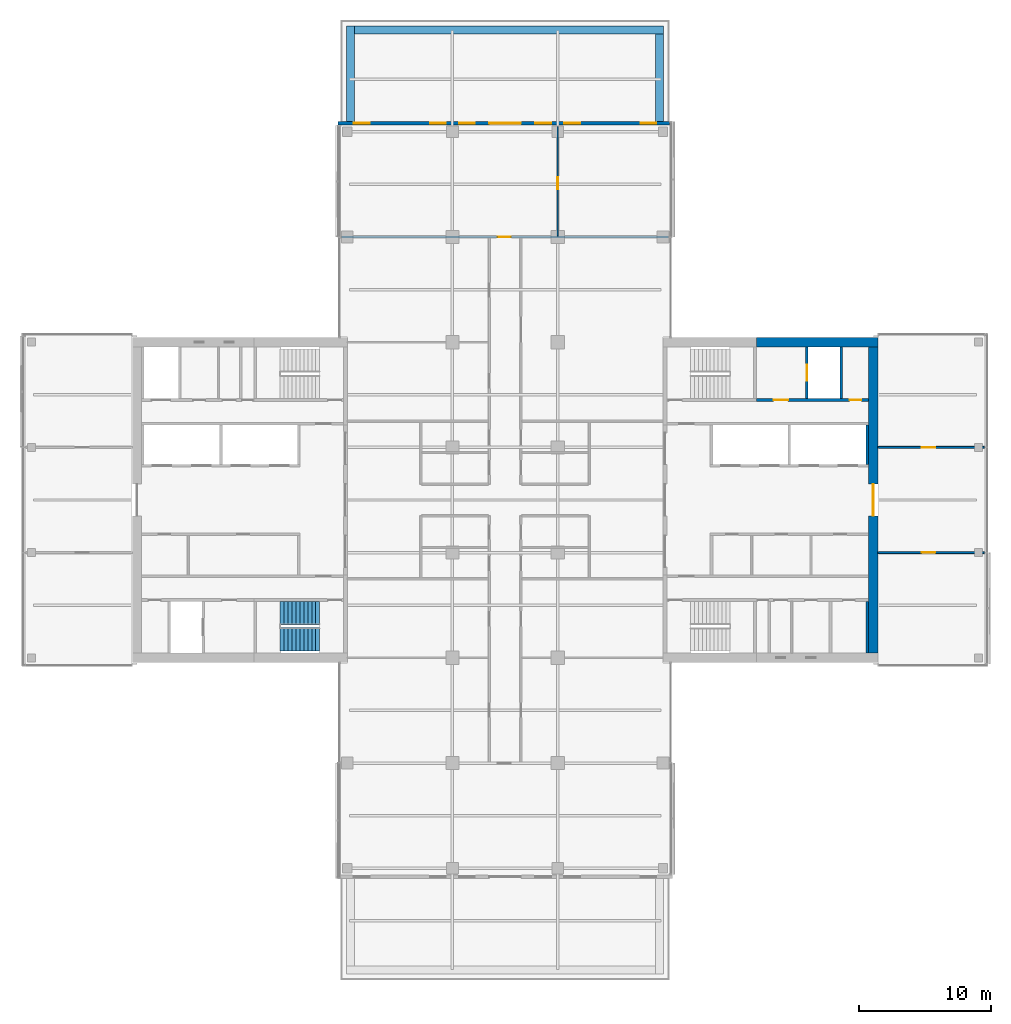
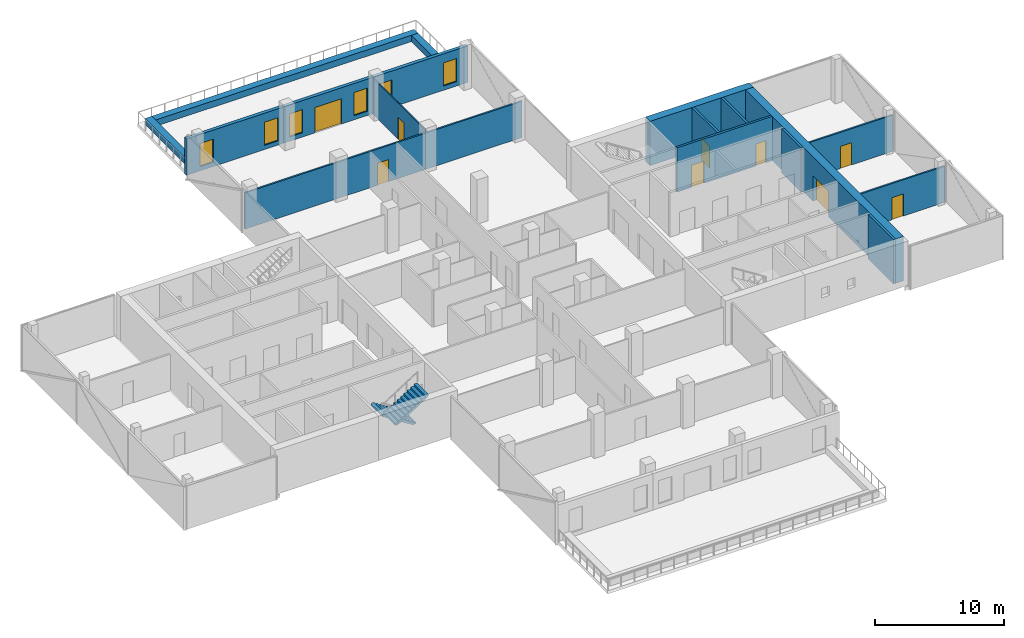
# One storey, part 19 of 24: 17 walls, 9 doors, 6 windows, 2 stair flights, 15 openings, 1 element without a shape of its own.
"""IFC4 building model written with IfcOpenShell, lengths in metres."""

from ifc_helpers import new_model, si_unit, direction, frame, frame_2d, origin, place, context, subcontext, project, spatial, polyline, rectangle, outline, extrude, material, layer, layer_set, constituent, constituent_set, type_object, element, fill, aggregate, save


model = new_model("IFC4")

# Units and contexts
model_context = context("Model", 3, precision=1e-05, world=origin(), true_north=direction((0.0, 1.0)))
body_context = subcontext(model_context, "Body", "Model", "MODEL_VIEW")
ifc_project = project(units=[si_unit("LENGTHUNIT", "METRE"), si_unit("AREAUNIT", "SQUARE_METRE"), si_unit("VOLUMEUNIT", "CUBIC_METRE"), si_unit("PLANEANGLEUNIT", "RADIAN"), si_unit("MASSUNIT", "GRAM", prefix="KILO")], contexts=[model_context])

# Site, building, storey
site_placement = place(None, origin())
site = spatial("IfcSite", under=ifc_project, at=site_placement, CompositionType="ELEMENT")
building_placement = place(site_placement, origin())
building = spatial("IfcBuilding", under=site, at=building_placement, Name="Crosswind Convention Tower", CompositionType="ELEMENT")
storey_placement = place(building_placement, frame((0.0, 0.0, 112.699951171875)))
storey = spatial("IfcBuildingStorey", under=building, at=storey_placement, Name="L22", CompositionType="ELEMENT", Elevation=112.699951171875)

# Wall, opening, door
ifc_material_1 = material(Name="Concrete C60/75", Category="concrete")
ifc_layer_1 = layer(ifc_material_1, 0.699951171875)
ifc_layer_set_1 = layer_set([ifc_layer_1], Name="Concrete C60/75")
wall_type_1 = type_object("IfcWallType", Name="Concrete core wall 700", PredefinedType="SHEAR", material=ifc_layer_set_1)
wall_1_placement = place(storey_placement, frame((153.0, 88.35009765625, 0.0), z_axis=(0.0, 0.0, 1.0), x_axis=(0.0, 1.0, 0.0)))
wall_1 = element("IfcWall", 1, at=wall_1_placement, inside=storey, type_object=wall_type_1, Name="Wall O E L22", PredefinedType="SHEAR", context=body_context, shape_type="SweptSolid", body=[
    extrude(rectangle(XDim=23.2998046875, YDim=0.699951171875, at=frame_2d((11.64990234375, 0.0))), origin(), (0.0, 0.0, 1.0), 4.199951171875),
])
opening_1_placement = place(wall_1_placement, frame((10.449951171875, 0.0, 0.0)))
opening_1 = element("IfcOpeningElement", 2, at=opening_1_placement, cuts=wall_1, Name="Opening D100", PredefinedType="OPENING", context=body_context, shape_type="SweptSolid", body=[
    extrude(rectangle(XDim=2.39990234375, YDim=2.39990234375, at=frame_2d((1.199951171875, 1.199951171875))), frame((0.0, 0.35986328125, 0.0), z_axis=(0.0, -1.0, 0.0), x_axis=(1.0, 0.0, 0.0)), (0.0, 0.0, 1.0), 0.719970703125),
])
ifc_material_2 = material(Name="Steel fire door with glazed vision panels", Category="steel")
door_type_1 = type_object("IfcDoorType", Name="Fire-rated double door 2400x2400", OperationType="DOUBLE_DOOR_SINGLE_SWING", PredefinedType="DOOR", material=ifc_material_2)
door_1_placement = place(opening_1_placement, origin())
door_1 = element("IfcDoor", 3, at=door_1_placement, inside=storey, type_object=door_type_1, Name="Lobby outer door L22", ObjectType="D100", OperationType="DOUBLE_DOOR_SINGLE_SWING", OverallHeight=2.39990234375, OverallWidth=2.39990234375, PredefinedType="DOOR", context=body_context, shape_type="SweptSolid", body=[
    extrude(rectangle(XDim=2.39990234375, YDim=2.39990234375, at=frame_2d((1.199951171875, 1.199951171875))), frame((0.0, 0.02490234375, 0.0), z_axis=(0.0, -1.0, 0.0), x_axis=(1.0, 0.0, 0.0)), (0.0, 0.0, 1.0), 0.050048828125),
])
fill(opening_1, door_1)

# Wall
ifc_material_3 = material(Name="Concrete C50/60", Category="concrete")
ifc_layer_2 = layer(ifc_material_3, 0.199951171875)
ifc_layer_set_2 = layer_set([ifc_layer_2], Name="Concrete C50/60")
wall_type_2 = type_object("IfcWallType", Name="Concrete shaft and stair wall 200", PredefinedType="SHEAR", material=ifc_layer_set_2)
wall_2_placement = place(storey_placement, frame((152.550048828125, 102.699951171875, 0.0), z_axis=(0.0, 0.0, 1.0), x_axis=(0.0, 1.0, 0.0)))
element("IfcWall", 4, at=wall_2_placement, inside=storey, type_object=wall_type_2, Name="Wall RPEAST E L22", PredefinedType="SHEAR", context=body_context, shape_type="SweptSolid", body=[
    extrude(rectangle(XDim=3.0, YDim=0.199951171875, at=frame_2d((1.5, 0.0))), origin(), (0.0, 0.0, 1.0), 4.199951171875),
])

# Wall, opening, door
wall_3_placement = place(storey_placement, frame((147.949951171875, 107.699951171875, 0.0), z_axis=(0.0, 0.0, 1.0), x_axis=(0.0, 1.0, 0.0)))
wall_3 = element("IfcWall", 5, at=wall_3_placement, inside=storey, type_object=wall_type_2, Name="Wall PFLW E L22", PredefinedType="SHEAR", context=body_context, shape_type="SweptSolid", body=[
    extrude(rectangle(XDim=3.949951171875, YDim=0.199951171875, at=frame_2d((1.97509765625, 0.0))), origin(), (0.0, 0.0, 1.0), 4.199951171875),
])
opening_2_placement = place(wall_3_placement, frame((1.375, 0.0, 0.0)))
opening_2 = element("IfcOpeningElement", 6, at=opening_2_placement, cuts=wall_3, Name="Opening LD1", PredefinedType="OPENING", context=body_context, shape_type="SweptSolid", body=[
    extrude(rectangle(XDim=1.199951171875, YDim=2.10009765625, at=frame_2d((0.60009765625, 1.050048828125))), frame((0.0, 0.10986328125, 0.0), z_axis=(0.0, -1.0, 0.0), x_axis=(1.0, 0.0, 0.0)), (0.0, 0.0, 1.0), 0.219970703125),
])
ifc_material_4 = material(Name="Stainless steel", Category="steel")
door_type_2 = type_object("IfcDoorType", Name="Lift landing door 1200x2100", OperationType="DOUBLE_DOOR_SLIDING", PredefinedType="DOOR", material=ifc_material_4)
door_2_placement = place(opening_2_placement, origin())
door_2 = element("IfcDoor", 7, at=door_2_placement, inside=storey, type_object=door_type_2, Name="Landing door FF1 L22", ObjectType="LD1", OperationType="DOUBLE_DOOR_SLIDING", OverallHeight=2.10009765625, OverallWidth=1.199951171875, PredefinedType="DOOR", context=body_context, shape_type="SweptSolid", body=[
    extrude(rectangle(XDim=1.199951171875, YDim=2.10009765625, at=frame_2d((0.60009765625, 1.050048828125))), frame((0.0, 0.02490234375, 0.0), z_axis=(0.0, -1.0, 0.0), x_axis=(1.0, 0.0, 0.0)), (0.0, 0.0, 1.0), 0.050048828125),
])
fill(opening_2, door_2)

# Wall
wall_4_placement = place(storey_placement, frame((150.550048828125, 107.699951171875, 0.0), z_axis=(0.0, 0.0, 1.0), x_axis=(0.0, 1.0, 0.0)))
element("IfcWall", 8, at=wall_4_placement, inside=storey, type_object=wall_type_2, Name="Wall PFSE E L22", PredefinedType="SHEAR", context=body_context, shape_type="SweptSolid", body=[
    extrude(rectangle(XDim=3.949951171875, YDim=0.199951171875, at=frame_2d((1.97509765625, 0.0))), origin(), (0.0, 0.0, 1.0), 4.199951171875),
])

# Wall, openings, doors
wall_5_placement = place(storey_placement, frame((144.10009765625, 107.60009765625, 0.0), z_axis=(0.0, 0.0, 1.0), x_axis=(1.0, 0.0, 0.0)))
wall_5 = element("IfcWall", 9, at=wall_5_placement, inside=storey, type_object=wall_type_2, Name="Wall PCX E L22", PredefinedType="SHEAR", context=body_context, shape_type="SweptSolid", body=[
    extrude(rectangle(XDim=8.5498046875, YDim=0.199951171875, at=frame_2d((4.27490234375, 0.0))), origin(), (0.0, 0.0, 1.0), 4.199951171875),
])
opening_3_placement = place(wall_5_placement, frame((1.324951171875, 0.0, 0.0)))
opening_3 = element("IfcOpeningElement", 10, at=opening_3_placement, cuts=wall_5, Name="Opening D104", PredefinedType="OPENING", context=body_context, shape_type="SweptSolid", body=[
    extrude(rectangle(XDim=1.10009765625, YDim=2.10009765625, at=frame_2d((0.550048828125, 1.050048828125))), frame((0.0, 0.10986328125, 0.0), z_axis=(0.0, -1.0, 0.0), x_axis=(1.0, 0.0, 0.0)), (0.0, 0.0, 1.0), 0.219970703125),
])
opening_4_placement = place(wall_5_placement, frame((7.10009765625, 0.0, 0.0)))
opening_4 = element("IfcOpeningElement", 11, at=opening_4_placement, cuts=wall_5, Name="Opening D106", PredefinedType="OPENING", context=body_context, shape_type="SweptSolid", body=[
    extrude(rectangle(XDim=0.89990234375, YDim=2.10009765625, at=frame_2d((0.449951171875, 1.050048828125))), frame((0.0, 0.10986328125, 0.0), z_axis=(0.0, -1.0, 0.0), x_axis=(1.0, 0.0, 0.0)), (0.0, 0.0, 1.0), 0.219970703125),
])
ifc_material_5 = material(Name="Steel fire door", Category="steel")
door_type_3 = type_object("IfcDoorType", Name="Fire-rated single door 1100x2100", OperationType="NOTDEFINED", PredefinedType="DOOR", material=ifc_material_5)
door_3_placement = place(opening_3_placement, origin())
door_3 = element("IfcDoor", 12, at=door_3_placement, inside=storey, type_object=door_type_3, Name="Fire-fighting lobby FF1 door L22", ObjectType="D104", OperationType="SINGLE_SWING_RIGHT", OverallHeight=2.10009765625, OverallWidth=1.10009765625, PredefinedType="DOOR", context=body_context, shape_type="SweptSolid", body=[
    extrude(rectangle(XDim=1.10009765625, YDim=2.10009765625, at=frame_2d((0.550048828125, 1.050048828125))), frame((0.0, 0.02490234375, 0.0), z_axis=(0.0, -1.0, 0.0), x_axis=(1.0, 0.0, 0.0)), (0.0, 0.0, 1.0), 0.050048828125),
])
fill(opening_3, door_3)
ifc_material_6 = material(Name="Timber door", Category="wood")
door_type_4 = type_object("IfcDoorType", Name="Single leaf door 900x2100", OperationType="NOTDEFINED", PredefinedType="DOOR", material=ifc_material_6)
door_4_placement = place(opening_4_placement, origin())
door_4 = element("IfcDoor", 13, at=door_4_placement, inside=storey, type_object=door_type_4, Name="Door to comms room L22", ObjectType="D106", OperationType="SINGLE_SWING_RIGHT", OverallHeight=2.10009765625, OverallWidth=0.89990234375, PredefinedType="DOOR", context=body_context, shape_type="SweptSolid", body=[
    extrude(rectangle(XDim=0.89990234375, YDim=2.10009765625, at=frame_2d((0.449951171875, 1.050048828125))), frame((0.0, 0.02490234375, 0.0), z_axis=(0.0, -1.0, 0.0), x_axis=(1.0, 0.0, 0.0)), (0.0, 0.0, 1.0), 0.050048828125),
])
fill(opening_4, door_4)

# Wall
wall_6_placement = place(storey_placement, frame((152.550048828125, 88.35009765625, 0.0), z_axis=(0.0, 0.0, 1.0), x_axis=(0.0, 1.0, 0.0)))
element("IfcWall", 14, at=wall_6_placement, inside=storey, type_object=wall_type_2, Name="Wall MFSE E L22", PredefinedType="SHEAR", context=body_context, shape_type="SweptSolid", body=[
    extrude(rectangle(XDim=3.949951171875, YDim=0.199951171875, at=frame_2d((1.97509765625, 0.0))), origin(), (0.0, 0.0, 1.0), 4.199951171875),
])

# Wall, opening, door
ifc_material_7 = material(Name="Plasterboard partition", Category="gypsum")
ifc_layer_3 = layer(ifc_material_7, 0.10009765625)
ifc_layer_set_3 = layer_set([ifc_layer_3], Name="PARTITION 100 METAL STUD")
wall_type_3 = type_object("IfcWallType", Name="PARTITION 100 METAL STUD", PredefinedType="PARTITIONING", material=ifc_layer_set_3)
wall_7_placement = place(storey_placement, frame((129.0, 120.074951171875, 0.0), z_axis=(0.0, 0.0, 1.0), x_axis=(0.0, 1.0, 0.0)))
wall_7 = element("IfcWall", 15, at=wall_7_placement, inside=storey, type_object=wall_type_3, Name="Partition wall WT40", PredefinedType="PARTITIONING", context=body_context, shape_type="SweptSolid", body=[
    extrude(rectangle(XDim=8.344970703125, YDim=0.10009765625, at=frame_2d((4.17236328125, 0.0))), origin(), (0.0, 0.0, 1.0), 3.4365234375),
])
opening_5_placement = place(wall_7_placement, frame((3.550048828125, 0.0, 0.0)))
opening_5 = element("IfcOpeningElement", 16, at=opening_5_placement, cuts=wall_7, Name="Opening L22-66", PredefinedType="OPENING", context=body_context, shape_type="SweptSolid", body=[
    extrude(rectangle(XDim=0.89990234375, YDim=2.10009765625, at=frame_2d((0.449951171875, 1.050048828125))), frame((0.0, 0.06005859375, 0.0), z_axis=(0.0, -1.0, 0.0), x_axis=(1.0, 0.0, 0.0)), (0.0, 0.0, 1.0), 0.1201171875),
])
door_type_5 = type_object("IfcDoorType", Name="INTERNAL DOOR 900X2100", OperationType="NOTDEFINED", PredefinedType="DOOR", material=ifc_material_6)
door_5_placement = place(opening_5_placement, frame((0.89990234375, 0.0, 0.0), z_axis=(0.0, 0.0, 1.0), x_axis=(-1.0, 0.0, 0.0)))
door_5 = element("IfcDoor", 17, at=door_5_placement, inside=storey, type_object=door_type_5, Name="Door L22-66", ObjectType="D40", OperationType="SINGLE_SWING_LEFT", OverallHeight=2.10009765625, OverallWidth=0.89990234375, PredefinedType="DOOR", context=body_context, shape_type="SweptSolid", body=[
    extrude(rectangle(XDim=0.89990234375, YDim=2.10009765625, at=frame_2d((0.449951171875, 1.050048828125))), frame((0.0, 0.02490234375, 0.0), z_axis=(0.0, -1.0, 0.0), x_axis=(1.0, 0.0, 0.0)), (0.0, 0.0, 1.0), 0.050048828125),
])
fill(opening_5, door_5)

# Walls
ifc_material_8 = material(Name="Concrete C30/37", Category="concrete")
ifc_layer_4 = layer(ifc_material_8, 0.60009765625)
ifc_layer_set_4 = layer_set([ifc_layer_4], Name="Concrete C30/37")
wall_type_4 = type_object("IfcWallType", Name="PLANTER BOX WALL 600", PredefinedType="SOLIDWALL", material=ifc_layer_set_4)
wall_8_placement = place(storey_placement, frame((113.25, 128.800048828125, 0.0), z_axis=(0.0, 0.0, 1.0), x_axis=(0.0, 1.0, 0.0)))
element("IfcWall", 18, at=wall_8_placement, inside=storey, type_object=wall_type_4, Name="PLANTER L22 N 1", PredefinedType="SOLIDWALL", context=body_context, shape_type="SweptSolid", body=[
    extrude(rectangle(XDim=7.25, YDim=0.60009765625, at=frame_2d((3.625, 0.0))), origin(), (0.0, 0.0, 1.0), 0.60009765625),
])
wall_9_placement = place(storey_placement, frame((113.550048828125, 135.75, 0.0), z_axis=(0.0, 0.0, 1.0), x_axis=(1.0, 0.0, 0.0)))
element("IfcWall", 19, at=wall_9_placement, inside=storey, type_object=wall_type_4, Name="PLANTER L22 N 2", PredefinedType="SOLIDWALL", context=body_context, shape_type="SweptSolid", body=[
    extrude(rectangle(XDim=23.5, YDim=0.60009765625, at=frame_2d((11.75, 0.0))), origin(), (0.0, 0.0, 1.0), 0.60009765625),
])
wall_10_placement = place(storey_placement, frame((136.75, 135.449951171875, 0.0), z_axis=(0.0, 0.0, 1.0), x_axis=(0.0, -1.0, 0.0)))
element("IfcWall", 20, at=wall_10_placement, inside=storey, type_object=wall_type_4, Name="PLANTER L22 N 3", PredefinedType="SOLIDWALL", context=body_context, shape_type="SweptSolid", body=[
    extrude(rectangle(XDim=6.64990234375, YDim=0.60009765625, at=frame_2d((3.324951171875, 0.0))), origin(), (0.0, 0.0, 1.0), 0.60009765625),
])

# Wall, opening, door
ifc_material_9 = material(Name="Fire-board partition with mineral wool", Category="gypsum")
ifc_layer_5 = layer(ifc_material_9, 0.14990234375)
ifc_layer_set_5 = layer_set([ifc_layer_5], Name="TENANCY WALL 150 TWO-HOUR BOARD")
wall_type_5 = type_object("IfcWallType", Name="TENANCY WALL 150 TWO-HOUR BOARD", PredefinedType="PARTITIONING", material=ifc_layer_set_5)
wall_11_placement = place(storey_placement, frame((153.35009765625, 96.0, 0.0), z_axis=(0.0, 0.0, 1.0), x_axis=(1.0, 0.0, 0.0)))
wall_11 = element("IfcWall", 21, at=wall_11_placement, inside=storey, type_object=wall_type_5, Name="Tenancy wall WT41", PredefinedType="PARTITIONING", context=body_context, shape_type="SweptSolid", body=[
    extrude(rectangle(XDim=8.06982421875, YDim=0.14990234375, at=frame_2d((4.034912109375, 0.0))), origin(), (0.0, 0.0, 1.0), 3.4365234375),
])
opening_6_placement = place(wall_11_placement, frame((3.35009765625, 0.0, 0.0)))
opening_6 = element("IfcOpeningElement", 22, at=opening_6_placement, cuts=wall_11, Name="Opening L22-69", PredefinedType="OPENING", context=body_context, shape_type="SweptSolid", body=[
    extrude(rectangle(XDim=1.0, YDim=2.10009765625, at=frame_2d((0.5, 1.050048828125))), frame((0.0, 0.0849609375, 0.0), z_axis=(0.0, -1.0, 0.0), x_axis=(1.0, 0.0, 0.0)), (0.0, 0.0, 1.0), 0.169921875),
])
ifc_material_10 = material(Name="Timber fire door", Category="wood")
door_type_6 = type_object("IfcDoorType", Name="TENANCY ENTRANCE DOOR 1000X2100 FD30S", OperationType="NOTDEFINED", PredefinedType="DOOR", material=ifc_material_10)
door_6_placement = place(opening_6_placement, frame((1.0, 0.0, 0.0), z_axis=(0.0, 0.0, 1.0), x_axis=(-1.0, 0.0, 0.0)))
door_6 = element("IfcDoor", 23, at=door_6_placement, inside=storey, type_object=door_type_6, Name="Door L22-69", ObjectType="D41", OperationType="SINGLE_SWING_LEFT", OverallHeight=2.10009765625, OverallWidth=1.0, PredefinedType="DOOR", context=body_context, shape_type="SweptSolid", body=[
    extrude(rectangle(XDim=1.0, YDim=2.10009765625, at=frame_2d((0.5, 1.050048828125))), frame((0.0, 0.02490234375, 0.0), z_axis=(0.0, -1.0, 0.0), x_axis=(1.0, 0.0, 0.0)), (0.0, 0.0, 1.0), 0.050048828125),
])
fill(opening_6, door_6)

wall_12_placement = place(storey_placement, frame((153.35009765625, 104.0, 0.0), z_axis=(0.0, 0.0, 1.0), x_axis=(1.0, 0.0, 0.0)))
wall_12 = element("IfcWall", 24, at=wall_12_placement, inside=storey, type_object=wall_type_5, Name="Tenancy wall WT41", PredefinedType="PARTITIONING", context=body_context, shape_type="SweptSolid", body=[
    extrude(rectangle(XDim=8.06982421875, YDim=0.14990234375, at=frame_2d((4.034912109375, 0.0))), origin(), (0.0, 0.0, 1.0), 3.4365234375),
])
opening_7_placement = place(wall_12_placement, frame((3.35009765625, 0.0, 0.0)))
opening_7 = element("IfcOpeningElement", 25, at=opening_7_placement, cuts=wall_12, Name="Opening L22-68", PredefinedType="OPENING", context=body_context, shape_type="SweptSolid", body=[
    extrude(rectangle(XDim=1.0, YDim=2.10009765625, at=frame_2d((0.5, 1.050048828125))), frame((0.0, 0.0849609375, 0.0), z_axis=(0.0, -1.0, 0.0), x_axis=(1.0, 0.0, 0.0)), (0.0, 0.0, 1.0), 0.169921875),
])
door_7_placement = place(opening_7_placement, origin())
door_7 = element("IfcDoor", 26, at=door_7_placement, inside=storey, type_object=door_type_6, Name="Door L22-68", ObjectType="D41", OperationType="SINGLE_SWING_RIGHT", OverallHeight=2.10009765625, OverallWidth=1.0, PredefinedType="DOOR", context=body_context, shape_type="SweptSolid", body=[
    extrude(rectangle(XDim=1.0, YDim=2.10009765625, at=frame_2d((0.5, 1.050048828125))), frame((0.0, 0.02490234375, 0.0), z_axis=(0.0, -1.0, 0.0), x_axis=(1.0, 0.0, 0.0)), (0.0, 0.0, 1.0), 0.050048828125),
])
fill(opening_7, door_7)

wall_13_placement = place(storey_placement, frame((112.580078125, 120.0, 0.0), z_axis=(0.0, 0.0, 1.0), x_axis=(1.0, 0.0, 0.0)))
wall_13 = element("IfcWall", 27, at=wall_13_placement, inside=storey, type_object=wall_type_5, Name="Tenancy wall WT41", PredefinedType="PARTITIONING", context=body_context, shape_type="SweptSolid", body=[
    extrude(rectangle(XDim=24.83984375, YDim=0.14990234375, at=frame_2d((12.419921875, 0.0))), origin(), (0.0, 0.0, 1.0), 3.4365234375),
])
opening_8_placement = place(wall_13_placement, frame((11.8701171875, 0.0, 0.0)))
opening_8 = element("IfcOpeningElement", 28, at=opening_8_placement, cuts=wall_13, Name="Opening L22-65", PredefinedType="OPENING", context=body_context, shape_type="SweptSolid", body=[
    extrude(rectangle(XDim=1.0, YDim=2.10009765625, at=frame_2d((0.5, 1.050048828125))), frame((0.0, 0.0849609375, 0.0), z_axis=(0.0, -1.0, 0.0), x_axis=(1.0, 0.0, 0.0)), (0.0, 0.0, 1.0), 0.169921875),
])
door_8_placement = place(opening_8_placement, origin())
door_8 = element("IfcDoor", 29, at=door_8_placement, inside=storey, type_object=door_type_6, Name="Door L22-65", ObjectType="D41", OperationType="SINGLE_SWING_LEFT", OverallHeight=2.10009765625, OverallWidth=1.0, PredefinedType="DOOR", context=body_context, shape_type="SweptSolid", body=[
    extrude(rectangle(XDim=1.0, YDim=2.10009765625, at=frame_2d((0.5, 1.050048828125))), frame((0.0, 0.02490234375, 0.0), z_axis=(0.0, -1.0, 0.0), x_axis=(1.0, 0.0, 0.0)), (0.0, 0.0, 1.0), 0.050048828125),
])
fill(opening_8, door_8)

# Wall, openings, windows
ifc_material_11 = material(Name="Terracotta rainscreen", Category="ceramic")
ifc_layer_6 = layer(ifc_material_11, 0.02001953125)
ifc_material_12 = material(Name="Mineral wool insulation", Category="insulation")
ifc_layer_7 = layer(ifc_material_12, 0.10009765625)
ifc_material_13 = material(Name="Concrete blockwork", Category="masonry")
ifc_layer_8 = layer(ifc_material_13, 0.179931640625)
ifc_layer_set_6 = layer_set([ifc_layer_6, ifc_layer_7, ifc_layer_8], Name="TERRACOTTA INFILL WALL 300")
wall_type_6 = type_object("IfcWallType", Name="TERRACOTTA INFILL WALL 300", PredefinedType="SOLIDWALL", material=ifc_layer_set_6)
wall_14_placement = place(storey_placement, frame((137.5, 128.64990234375, 0.0), z_axis=(0.0, 0.0, 1.0), x_axis=(-1.0, 0.0, 0.0)))
wall_14 = element("IfcWall", 30, at=wall_14_placement, inside=storey, type_object=wall_type_6, Name="Terrace front wall L22 N-TIP.1-1", PredefinedType="SOLIDWALL", context=body_context, shape_type="SweptSolid", body=[
    extrude(rectangle(XDim=8.5, YDim=0.300048828125, at=frame_2d((4.25, 0.0))), origin(), (0.0, 0.0, 1.0), 3.446533203125),
])
opening_9_placement = place(wall_14_placement, frame((1.0, 0.0, 0.39990234375)))
opening_9 = element("IfcOpeningElement", 31, at=opening_9_placement, cuts=wall_14, Name="Opening W10", PredefinedType="OPENING", context=body_context, shape_type="SweptSolid", body=[
    extrude(rectangle(XDim=1.199951171875, YDim=2.199951171875, at=frame_2d((0.60009765625, 1.10009765625))), frame((0.0, 0.159912109375, 0.0), z_axis=(0.0, -1.0, 0.0), x_axis=(1.0, 0.0, 0.0)), (0.0, 0.0, 1.0), 0.320068359375),
])
opening_10_placement = place(wall_14_placement, frame((6.800048828125, 0.0, 0.39990234375)))
opening_10 = element("IfcOpeningElement", 32, at=opening_10_placement, cuts=wall_14, Name="Opening W10", PredefinedType="OPENING", context=body_context, shape_type="SweptSolid", body=[
    extrude(rectangle(XDim=1.199951171875, YDim=2.199951171875, at=frame_2d((0.60009765625, 1.10009765625))), frame((0.0, 0.159912109375, 0.0), z_axis=(0.0, -1.0, 0.0), x_axis=(1.0, 0.0, 0.0)), (0.0, 0.0, 1.0), 0.320068359375),
])
ifc_material_14 = material(Name="Aluminium window", Category="aluminium")
window_type = type_object("IfcWindowType", Name="TERRACE FRONT WINDOW 1200X2200", PartitioningType="SINGLE_PANEL", PredefinedType="WINDOW", material=ifc_material_14)
window_1_placement = place(opening_9_placement, origin())
window_1 = element("IfcWindow", 33, at=window_1_placement, inside=storey, type_object=window_type, Name="W10 terrace window L22 N-TIP.1-1.1", ObjectType="W10", OverallHeight=2.199951171875, OverallWidth=1.199951171875, PartitioningType="SINGLE_PANEL", PredefinedType="WINDOW", context=body_context, shape_type="SweptSolid", body=[
    extrude(rectangle(XDim=1.199951171875, YDim=2.199951171875, at=frame_2d((0.60009765625, 1.10009765625))), frame((0.0, 0.030029296875, 0.0), z_axis=(0.0, -1.0, 0.0), x_axis=(1.0, 0.0, 0.0)), (0.0, 0.0, 1.0), 0.06005859375),
])
fill(opening_9, window_1)
window_2_placement = place(opening_10_placement, origin())
window_2 = element("IfcWindow", 34, at=window_2_placement, inside=storey, type_object=window_type, Name="W10 terrace window L22 N-TIP.1-1.2", ObjectType="W10", OverallHeight=2.199951171875, OverallWidth=1.199951171875, PartitioningType="SINGLE_PANEL", PredefinedType="WINDOW", context=body_context, shape_type="SweptSolid", body=[
    extrude(rectangle(XDim=1.199951171875, YDim=2.199951171875, at=frame_2d((0.60009765625, 1.10009765625))), frame((0.0, 0.030029296875, 0.0), z_axis=(0.0, -1.0, 0.0), x_axis=(1.0, 0.0, 0.0)), (0.0, 0.0, 1.0), 0.06005859375),
])
fill(opening_10, window_2)

# Wall, openings, door, windows
wall_15_placement = place(storey_placement, frame((129.0, 128.64990234375, 0.0), z_axis=(0.0, 0.0, 1.0), x_axis=(-1.0, 0.0, 0.0)))
wall_15 = element("IfcWall", 35, at=wall_15_placement, inside=storey, type_object=wall_type_6, Name="Terrace front wall L22 N-TIP.1-2", PredefinedType="SOLIDWALL", context=body_context, shape_type="SweptSolid", body=[
    extrude(rectangle(XDim=8.0, YDim=0.300048828125, at=frame_2d((4.0, 0.0))), origin(), (0.0, 0.0, 1.0), 3.446533203125),
])
opening_11_placement = place(wall_15_placement, frame((2.800048828125, 0.0, 0.0)))
opening_11 = element("IfcOpeningElement", 36, at=opening_11_placement, cuts=wall_15, Name="Opening D140", PredefinedType="OPENING", context=body_context, shape_type="SweptSolid", body=[
    extrude(rectangle(XDim=2.39990234375, YDim=2.39990234375, at=frame_2d((1.199951171875, 1.199951171875))), frame((0.0, 0.159912109375, 0.0), z_axis=(0.0, -1.0, 0.0), x_axis=(1.0, 0.0, 0.0)), (0.0, 0.0, 1.0), 0.320068359375),
])
opening_12_placement = place(wall_15_placement, frame((0.5, 0.0, 0.39990234375)))
opening_12 = element("IfcOpeningElement", 37, at=opening_12_placement, cuts=wall_15, Name="Opening W10", PredefinedType="OPENING", context=body_context, shape_type="SweptSolid", body=[
    extrude(rectangle(XDim=1.199951171875, YDim=2.199951171875, at=frame_2d((0.60009765625, 1.10009765625))), frame((0.0, 0.159912109375, 0.0), z_axis=(0.0, -1.0, 0.0), x_axis=(1.0, 0.0, 0.0)), (0.0, 0.0, 1.0), 0.320068359375),
])
opening_13_placement = place(wall_15_placement, frame((6.300048828125, 0.0, 0.39990234375)))
opening_13 = element("IfcOpeningElement", 38, at=opening_13_placement, cuts=wall_15, Name="Opening W10", PredefinedType="OPENING", context=body_context, shape_type="SweptSolid", body=[
    extrude(rectangle(XDim=1.199951171875, YDim=2.199951171875, at=frame_2d((0.60009765625, 1.10009765625))), frame((0.0, 0.159912109375, 0.0), z_axis=(0.0, -1.0, 0.0), x_axis=(1.0, 0.0, 0.0)), (0.0, 0.0, 1.0), 0.320068359375),
])
ifc_material_15 = material(Name="Aluminium glazed door", Category="aluminium")
door_type_7 = type_object("IfcDoorType", Name="GLAZED DOUBLE DOOR 2400X2400", OperationType="DOUBLE_DOOR_SINGLE_SWING", PredefinedType="DOOR", material=ifc_material_15)
door_9_placement = place(opening_11_placement, frame((2.39990234375, 0.0, 0.0), z_axis=(0.0, 0.0, 1.0), x_axis=(-1.0, 0.0, 0.0)))
door_9 = element("IfcDoor", 39, at=door_9_placement, inside=storey, type_object=door_type_7, Name="D140 terrace door L22 N-TIP.1-2", ObjectType="D140", OperationType="DOUBLE_DOOR_SINGLE_SWING", OverallHeight=2.39990234375, OverallWidth=2.39990234375, PredefinedType="DOOR", context=body_context, shape_type="SweptSolid", body=[
    extrude(rectangle(XDim=2.39990234375, YDim=2.39990234375, at=frame_2d((1.199951171875, 1.199951171875))), frame((0.0, 0.02490234375, 0.0), z_axis=(0.0, -1.0, 0.0), x_axis=(1.0, 0.0, 0.0)), (0.0, 0.0, 1.0), 0.050048828125),
])
fill(opening_11, door_9)
window_3_placement = place(opening_12_placement, origin())
window_3 = element("IfcWindow", 40, at=window_3_placement, inside=storey, type_object=window_type, Name="W10 terrace window L22 N-TIP.1-2.1", ObjectType="W10", OverallHeight=2.199951171875, OverallWidth=1.199951171875, PartitioningType="SINGLE_PANEL", PredefinedType="WINDOW", context=body_context, shape_type="SweptSolid", body=[
    extrude(rectangle(XDim=1.199951171875, YDim=2.199951171875, at=frame_2d((0.60009765625, 1.10009765625))), frame((0.0, 0.030029296875, 0.0), z_axis=(0.0, -1.0, 0.0), x_axis=(1.0, 0.0, 0.0)), (0.0, 0.0, 1.0), 0.06005859375),
])
fill(opening_12, window_3)
window_4_placement = place(opening_13_placement, origin())
window_4 = element("IfcWindow", 41, at=window_4_placement, inside=storey, type_object=window_type, Name="W10 terrace window L22 N-TIP.1-2.2", ObjectType="W10", OverallHeight=2.199951171875, OverallWidth=1.199951171875, PartitioningType="SINGLE_PANEL", PredefinedType="WINDOW", context=body_context, shape_type="SweptSolid", body=[
    extrude(rectangle(XDim=1.199951171875, YDim=2.199951171875, at=frame_2d((0.60009765625, 1.10009765625))), frame((0.0, 0.030029296875, 0.0), z_axis=(0.0, -1.0, 0.0), x_axis=(1.0, 0.0, 0.0)), (0.0, 0.0, 1.0), 0.06005859375),
])
fill(opening_13, window_4)

# Wall, openings, windows
wall_16_placement = place(storey_placement, frame((121.0, 128.64990234375, 0.0), z_axis=(0.0, 0.0, 1.0), x_axis=(-1.0, 0.0, 0.0)))
wall_16 = element("IfcWall", 42, at=wall_16_placement, inside=storey, type_object=wall_type_6, Name="Terrace front wall L22 N-TIP.1-3", PredefinedType="SOLIDWALL", context=body_context, shape_type="SweptSolid", body=[
    extrude(rectangle(XDim=8.719970703125, YDim=0.300048828125, at=frame_2d((4.35986328125, 0.0))), origin(), (0.0, 0.0, 1.0), 3.446533203125),
])
opening_14_placement = place(wall_16_placement, frame((0.5, 0.0, 0.39990234375)))
opening_14 = element("IfcOpeningElement", 43, at=opening_14_placement, cuts=wall_16, Name="Opening W10", PredefinedType="OPENING", context=body_context, shape_type="SweptSolid", body=[
    extrude(rectangle(XDim=1.199951171875, YDim=2.199951171875, at=frame_2d((0.60009765625, 1.10009765625))), frame((0.0, 0.159912109375, 0.0), z_axis=(0.0, -1.0, 0.0), x_axis=(1.0, 0.0, 0.0)), (0.0, 0.0, 1.0), 0.320068359375),
])
opening_15_placement = place(wall_16_placement, frame((6.300048828125, 0.0, 0.39990234375)))
opening_15 = element("IfcOpeningElement", 44, at=opening_15_placement, cuts=wall_16, Name="Opening W10", PredefinedType="OPENING", context=body_context, shape_type="SweptSolid", body=[
    extrude(rectangle(XDim=1.199951171875, YDim=2.199951171875, at=frame_2d((0.60009765625, 1.10009765625))), frame((0.0, 0.159912109375, 0.0), z_axis=(0.0, -1.0, 0.0), x_axis=(1.0, 0.0, 0.0)), (0.0, 0.0, 1.0), 0.320068359375),
])
window_5_placement = place(opening_14_placement, origin())
window_5 = element("IfcWindow", 45, at=window_5_placement, inside=storey, type_object=window_type, Name="W10 terrace window L22 N-TIP.1-3.1", ObjectType="W10", OverallHeight=2.199951171875, OverallWidth=1.199951171875, PartitioningType="SINGLE_PANEL", PredefinedType="WINDOW", context=body_context, shape_type="SweptSolid", body=[
    extrude(rectangle(XDim=1.199951171875, YDim=2.199951171875, at=frame_2d((0.60009765625, 1.10009765625))), frame((0.0, 0.030029296875, 0.0), z_axis=(0.0, -1.0, 0.0), x_axis=(1.0, 0.0, 0.0)), (0.0, 0.0, 1.0), 0.06005859375),
])
fill(opening_14, window_5)
window_6_placement = place(opening_15_placement, origin())
window_6 = element("IfcWindow", 46, at=window_6_placement, inside=storey, type_object=window_type, Name="W10 terrace window L22 N-TIP.1-3.2", ObjectType="W10", OverallHeight=2.199951171875, OverallWidth=1.199951171875, PartitioningType="SINGLE_PANEL", PredefinedType="WINDOW", context=body_context, shape_type="SweptSolid", body=[
    extrude(rectangle(XDim=1.199951171875, YDim=2.199951171875, at=frame_2d((0.60009765625, 1.10009765625))), frame((0.0, 0.030029296875, 0.0), z_axis=(0.0, -1.0, 0.0), x_axis=(1.0, 0.0, 0.0)), (0.0, 0.0, 1.0), 0.06005859375),
])
fill(opening_15, window_6)

# Wall
ifc_constituent_1 = constituent(ifc_material_1, Name="Structure")
ifc_constituent_2 = constituent(ifc_material_11, Name="Facing")
ifc_constituent_set = constituent_set(constituents=[ifc_constituent_1, ifc_constituent_2], Name="Concrete C60/75, Terracotta rainscreen")
wall_type_7 = type_object("IfcWallType", Name="Terracotta rainscreen on concrete core wall 700", PredefinedType="SHEAR", material=ifc_constituent_set)
wall_17_placement = place(storey_placement, frame((144.10009765625, 112.0, 0.0), z_axis=(0.0, 0.0, 1.0), x_axis=(1.0, 0.0, 0.0)))
element("IfcWall", 47, at=wall_17_placement, inside=storey, type_object=wall_type_7, Name="Wall N2 E L22", PredefinedType="SHEAR", context=body_context, shape_type="SweptSolid", body=[
    extrude(rectangle(XDim=9.25, YDim=0.699951171875, at=frame_2d((4.625, 0.0))), origin(), (0.0, 0.0, 1.0), 4.199951171875),
])

# Stair, stair flights
ifc_material_16 = material(Name="Concrete C40/50", Category="concrete")
stair_type = type_object("IfcStairType", Name="Exit stair 1800 wide, 2 flights of 11 risers", PredefinedType="HALF_TURN_STAIR", material=ifc_material_16)
stair_placement = place(storey_placement, origin())
stair = element("IfcStair", 48, at=stair_placement, inside=storey, type_object=stair_type, Name="Exit stair ST3 L22", ObjectType="ST5", PredefinedType="HALF_TURN_STAIR")
stair_flight_type = type_object("IfcStairFlightType", Name="Stair flight 1800 wide, 11 risers (SF4)", PredefinedType="STRAIGHT", material=ifc_material_16)
stair_flight_1_placement = place(storey_placement, frame((110.89990234375, 91.39990234375, 0.0), z_axis=(0.0, 0.0, 1.0), x_axis=(-1.0, 0.0, 0.0)))
stair_flight_1 = element("IfcStairFlight", 49, at=stair_flight_1_placement, type_object=stair_flight_type, Name="ST3 flight 1", NumberOfRisers=11, NumberOfTreads=10, PredefinedType="STRAIGHT", RiserHeight=0.190909091, TreadLength=0.3, context=body_context, shape_type="SweptSolid", body=[
    extrude(outline(polyline([(0.0, 0.0), (0.0, 0.19091796875), (0.300048828125, 0.19091796875), (0.300048828125, 0.3818359375), (0.60009765625, 0.3818359375), (0.60009765625, 0.57275390625), (0.89990234375, 0.57275390625), (0.89990234375, 0.763671875), (1.199951171875, 0.763671875), (1.199951171875, 0.95458984375), (1.5, 0.95458984375), (1.5, 1.1455078125), (1.800048828125, 1.1455078125), (1.800048828125, 1.33642578125), (2.10009765625, 1.33642578125), (2.10009765625, 1.52734375), (2.39990234375, 1.52734375), (2.39990234375, 1.71826171875), (2.699951171875, 1.71826171875), (2.699951171875, 1.9091796875), (3.0, 1.9091796875), (3.0, 2.10009765625), (3.0, 1.7314453125), (0.279296875, 0.0), (0.0, 0.0)])), frame((0.0, 0.89990234375, 0.0), z_axis=(0.0, -1.0, 0.0), x_axis=(1.0, 0.0, 0.0)), (0.0, 0.0, 1.0), 1.800048828125),
])
stair_flight_2_placement = place(storey_placement, frame((107.89990234375, 89.39990234375, 2.10009765625), z_axis=(0.0, 0.0, 1.0), x_axis=(1.0, 0.0, 0.0)))
stair_flight_2 = element("IfcStairFlight", 50, at=stair_flight_2_placement, type_object=stair_flight_type, Name="ST3 flight 2", NumberOfRisers=11, NumberOfTreads=10, PredefinedType="STRAIGHT", RiserHeight=0.190909091, TreadLength=0.3, context=body_context, shape_type="SweptSolid", body=[
    extrude(outline(polyline([(0.0, 0.0), (0.0, 0.19091796875), (0.300048828125, 0.19091796875), (0.300048828125, 0.3818359375), (0.60009765625, 0.3818359375), (0.60009765625, 0.57275390625), (0.89990234375, 0.57275390625), (0.89990234375, 0.763671875), (1.199951171875, 0.763671875), (1.199951171875, 0.95458984375), (1.5, 0.95458984375), (1.5, 1.1455078125), (1.800048828125, 1.1455078125), (1.800048828125, 1.33642578125), (2.10009765625, 1.33642578125), (2.10009765625, 1.52734375), (2.39990234375, 1.52734375), (2.39990234375, 1.71826171875), (2.699951171875, 1.71826171875), (2.699951171875, 1.9091796875), (3.0, 1.9091796875), (3.0, 2.10009765625), (3.0, 1.7314453125), (0.279296875, 0.0), (0.0, 0.0)])), frame((0.0, 0.89990234375, 0.0), z_axis=(0.0, -1.0, 0.0), x_axis=(1.0, 0.0, 0.0)), (0.0, 0.0, 1.0), 1.800048828125),
])
aggregate(stair, [stair_flight_1, stair_flight_2])

save(model, "model.ifc")
